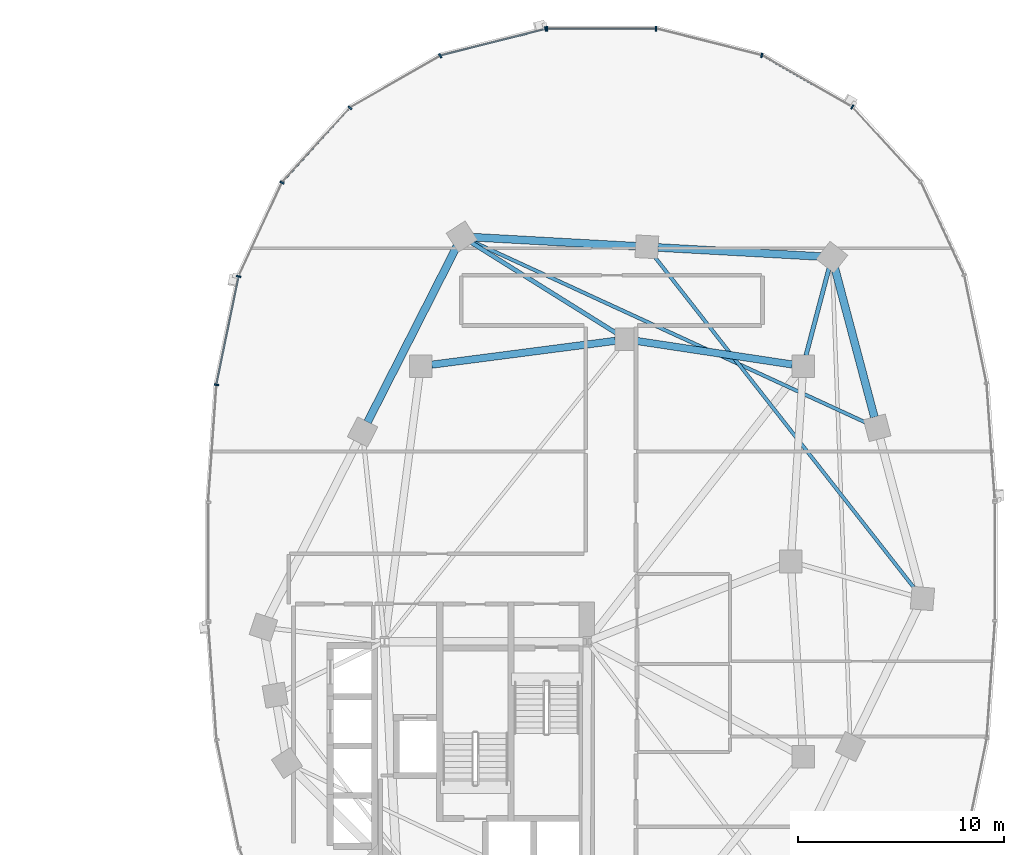
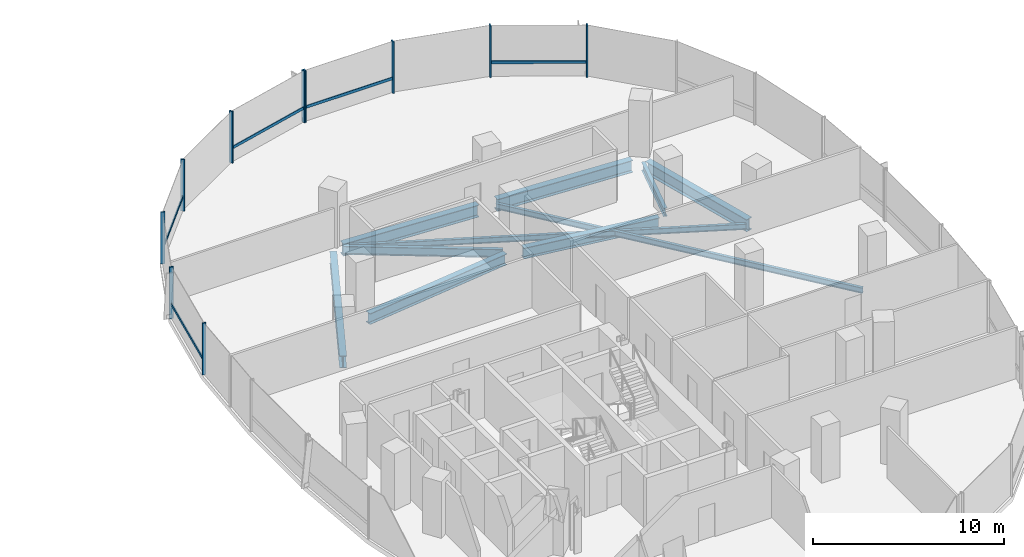
# One storey, part 7 of 21: 15 members, 10 beams, 2 elements without a shape of their own.
"""IFC4 building model written with IfcOpenShell, lengths in metres."""

import ifcopenshell
import ifcopenshell.guid

model = None  # the IFC model being written
_history = None  # IfcOwnerHistory: only IFC2X3 demands one
_inside = {}  # id of a spatial element -> (the spatial element, [elements in it])
_under = {}  # id of a project, library or spatial element -> (it, [spatial elements below it])
_declared = {}  # id of a project -> (the project, [libraries it declares])
_typed = {}  # id of a type object -> (the type object, [elements of that type])
_made_of = {}  # id of a material, layer set ... -> (it, [elements and type objects made of it])


def new_model(schema):
    """Start an empty IFC model of exactly this schema.

    Asked for "IFC4X3", IfcOpenShell would pick the latest addendum, in which some entities
    have other attributes; the version numbers below select the first issue.
    IFC2X3 requires an IfcOwnerHistory on every rooted entity: one is made here for all.
    """
    global model, _history
    if schema == "IFC4X3":
        model = ifcopenshell.file(schema_version=(4, 3, 0, 0))
    else:
        model = ifcopenshell.file(schema=schema)
    _inside.clear()
    _under.clear()
    _declared.clear()
    _typed.clear()
    _made_of.clear()
    _history = None
    if model.schema == "IFC2X3":
        org = make("IfcOrganization", Name="unknown")
        user = make(
            "IfcPersonAndOrganization",
            ThePerson=make("IfcPerson", FamilyName="unknown"),
            TheOrganization=org,
        )
        app = make(
            "IfcApplication",
            ApplicationDeveloper=org,
            Version="unknown",
            ApplicationFullName="unknown",
            ApplicationIdentifier="unknown",
        )
        _history = make(
            "IfcOwnerHistory",
            OwningUser=user,
            OwningApplication=app,
            ChangeAction="ADDED",
            CreationDate=0,
        )
    return model


def make(cls, **values):
    """One entity of the class cls with the attributes given. An attribute that is None is left unset."""
    return model.create_entity(
        cls, **{name: value for name, value in values.items() if value is not None}
    )


def rooted(cls, **values):
    """An entity with a GlobalId (a new one), such as an element, a storey or a relation."""
    return make(cls, GlobalId=ifcopenshell.guid.new(), OwnerHistory=_history, **values)


def si_unit(unit_type, name, prefix=None):
    """IfcSIUnit, for example si_unit("LENGTHUNIT", "METRE", prefix="MILLI")."""
    return make("IfcSIUnit", UnitType=unit_type, Prefix=prefix, Name=name)


def assignment(units):
    """IfcUnitAssignment: the units of a project."""
    return None if units is None else make("IfcUnitAssignment", Units=units)


def point(xyz):
    """IfcCartesianPoint."""
    return None if xyz is None else make("IfcCartesianPoint", Coordinates=xyz)


def direction(xyz):
    """IfcDirection."""
    return None if xyz is None else make("IfcDirection", DirectionRatios=xyz)


def frame(location, z_axis=None, x_axis=None):
    """IfcAxis2Placement3D, a coordinate frame: its origin and axes. An axis left out is left unset."""
    return make(
        "IfcAxis2Placement3D",
        Location=point(location),
        Axis=direction(z_axis),
        RefDirection=direction(x_axis),
    )


def frame_2d(location, x_axis=None):
    """IfcAxis2Placement2D, a coordinate frame in the plane: its origin and x axis."""
    return make(
        "IfcAxis2Placement2D", Location=point(location), RefDirection=direction(x_axis)
    )


def origin():
    """The frame at (0, 0, 0) with its axes left unset."""
    return frame((0.0, 0.0, 0.0))


def origin_2d():
    """The frame at (0, 0) in the plane with its x axis left unset."""
    return frame_2d((0.0, 0.0))


def place(relative_to, where):
    """IfcLocalPlacement: puts the frame where relative to a parent placement (None: the world)."""
    return make(
        "IfcLocalPlacement", PlacementRelTo=relative_to, RelativePlacement=where
    )


def context(
    kind, dimensions, precision=None, world=None, true_north=None, identifier=None
):
    """IfcGeometricRepresentationContext, for example the 3D "Model" context."""
    return make(
        "IfcGeometricRepresentationContext",
        ContextIdentifier=identifier,
        ContextType=kind,
        CoordinateSpaceDimension=dimensions,
        Precision=precision,
        WorldCoordinateSystem=world,
        TrueNorth=true_north,
    )


def subcontext(parent, identifier, kind, view, scale=None):
    """IfcGeometricRepresentationSubContext, for example "Body" below "Model"."""
    return make(
        "IfcGeometricRepresentationSubContext",
        ContextIdentifier=identifier,
        ContextType=kind,
        ParentContext=parent,
        TargetScale=scale,
        TargetView=view,
    )


def project(units=None, contexts=None):
    """IfcProject with its units and contexts."""
    return rooted(
        "IfcProject",
        Name="project",
        RepresentationContexts=contexts,
        UnitsInContext=assignment(units),
    )


def spatial(cls, under=None, at=None, **own):
    """A site, building, storey or space (cls), placed at a placement, below another one or the project."""
    s = rooted(cls, ObjectPlacement=at, **own)
    if under is not None:
        _under.setdefault(under.id(), (under, []))[1].append(s)
    return s


def profile(cls, at=None, kind="AREA", **sizes):
    """A parametric profile (cls). Its sizes go by their IFC names, for example OverallWidth=200.0."""
    return make(cls, ProfileType=kind, Position=at, **sizes)


def rectangle(**sizes):
    """IfcRectangleProfileDef."""
    return profile("IfcRectangleProfileDef", **sizes)


def i_section(**sizes):
    """IfcIShapeProfileDef."""
    return profile("IfcIShapeProfileDef", **sizes)


def extrude(swept, where, along, depth):
    """IfcExtrudedAreaSolid: the profile swept, set in the frame where, extruded along a direction by depth."""
    return make(
        "IfcExtrudedAreaSolid",
        SweptArea=swept,
        Position=where,
        ExtrudedDirection=direction(along),
        Depth=depth,
    )


def shape(context_of_items, identifier, shape_type, items):
    """IfcShapeRepresentation: the items that make up one representation, for example the "Body"."""
    return make(
        "IfcShapeRepresentation",
        ContextOfItems=context_of_items,
        RepresentationIdentifier=identifier,
        RepresentationType=shape_type,
        Items=items,
    )


def material(Name=None, Category=None):
    """IfcMaterial."""
    return make("IfcMaterial", Name=Name, Category=Category)


def material_profile(
    of_material, cross_section, Name=None, Category=None, Priority=None
):
    """IfcMaterialProfile: a cross section and its material."""
    return make(
        "IfcMaterialProfile",
        Name=Name,
        Material=of_material,
        Profile=cross_section,
        Priority=Priority,
        Category=Category,
    )


def profile_set(profiles, Name=None, composite=None):
    """IfcMaterialProfileSet."""
    return make(
        "IfcMaterialProfileSet",
        Name=Name,
        MaterialProfiles=profiles,
        CompositeProfile=composite,
    )


def made_of(thing, what):
    """Note that an element or type object is made of a material, layer set ...; save() writes the relation."""
    if what is not None:
        _made_of.setdefault(what.id(), (what, []))[1].append(thing)
    return thing


def type_object(cls, material=None, **own):
    """A type object (cls), such as IfcWallType, which elements share."""
    return made_of(rooted(cls, **own), material)


def element(
    cls,
    number,
    at=None,
    inside=None,
    cuts=None,
    type_object=None,
    material=None,
    context=None,
    identifier="Body",
    shape_type=None,
    held_by="IfcProductDefinitionShape",
    body=None,
    shapes=None,
    **own,
):
    """One element of the class cls, such as IfcWall. Its Tag is "e" and its number.

    at: its placement. inside: the storey or other place that contains it. cuts: it is an
    opening in that element (IfcRelVoidsElement). A single representation is given by context,
    identifier, shape_type and body (its items); several are given by shapes. held_by: the class
    of the entity that holds the representations. save() writes the other relations.
    """
    e = rooted(cls, Tag="e%d" % number, ObjectPlacement=at, **own)
    if body is not None:
        shapes = [shape(context, identifier, shape_type, body)]
    if shapes is not None:
        e.Representation = make(held_by, Representations=shapes)
    if inside is not None:
        _inside.setdefault(inside.id(), (inside, []))[1].append(e)
    if cuts is not None:
        rooted(
            "IfcRelVoidsElement", RelatingBuildingElement=cuts, RelatedOpeningElement=e
        )
    if type_object is not None:
        _typed.setdefault(type_object.id(), (type_object, []))[1].append(e)
    return made_of(e, material)


def aggregate(whole, parts):
    """IfcRelAggregates: a whole, such as a stair, and the parts it consists of."""
    return rooted("IfcRelAggregates", RelatingObject=whole, RelatedObjects=parts)


def save(model, path):
    """Write the relations noted so far, then the file.

    IfcRelAggregates (storeys below a building ...), IfcRelContainedInSpatialStructure (elements
    in a storey), IfcRelDefinesByType, IfcRelAssociatesMaterial and IfcRelDeclares: one each for
    every whole, place, type object, material and project.
    """
    for whole, parts in _under.values():
        aggregate(whole, parts)
    for where, things in _inside.values():
        rooted(
            "IfcRelContainedInSpatialStructure",
            RelatedElements=things,
            RelatingStructure=where,
        )
    for kind, things in _typed.values():
        rooted("IfcRelDefinesByType", RelatedObjects=things, RelatingType=kind)
    for what, things in _made_of.values():
        rooted("IfcRelAssociatesMaterial", RelatedObjects=things, RelatingMaterial=what)
    for by, libraries in _declared.values():
        rooted("IfcRelDeclares", RelatingContext=by, RelatedDefinitions=libraries)
    model.write(path)


model = new_model("IFC4")

# Units and contexts
model_context = context("Model", 3, precision=1e-05, world=origin(), true_north=direction((0.0, 1.0)))
body_context = subcontext(model_context, "Body", "Model", "MODEL_VIEW")
ifc_project = project(units=[si_unit("LENGTHUNIT", "METRE"), si_unit("AREAUNIT", "SQUARE_METRE"), si_unit("VOLUMEUNIT", "CUBIC_METRE"), si_unit("PLANEANGLEUNIT", "RADIAN"), si_unit("MASSUNIT", "GRAM", prefix="KILO"), si_unit("THERMODYNAMICTEMPERATUREUNIT", "KELVIN"), si_unit("POWERUNIT", "WATT")], contexts=[model_context])

# Site, building, storey
site_placement = place(None, origin())
site = spatial("IfcSite", under=ifc_project, at=site_placement, CompositionType="ELEMENT")
building_placement = place(site_placement, origin())
building = spatial("IfcBuilding", under=site, at=building_placement, Name="Cundina Bronze Exchange", CompositionType="ELEMENT")
storey_placement = place(building_placement, frame((0.0, 0.0, 121.39990234375)))
storey = spatial("IfcBuildingStorey", under=building, at=storey_placement, Name="L31", CompositionType="ELEMENT", Elevation=121.39990234375)

# Beams
ifc_material_1 = material(Name="Steel ASTM A992 Grade 50", Category="steel")
ifc_material_profile_1 = material_profile(ifc_material_1, i_section(OverallWidth=0.2099609375, OverallDepth=0.532958984375, WebThickness=0.01025390625, FlangeThickness=0.015625, FilletRadius=0.013916015625, at=origin_2d()), Name="W21X62", Category="steel")
ifc_profile_set_1 = profile_set([ifc_material_profile_1], Name="Steel ASTM A992 Grade 50")
beam_type_1 = type_object("IfcBeamType", Name="BM-FLR-W21B", PredefinedType="BEAM", material=ifc_profile_set_1)
beam_1_placement = place(storey_placement, frame((41.9375, 10.020263671875, -0.56640625), z_axis=(0.255357891402, 0.966846599673, 0.0), x_axis=(-0.966846599673, 0.255357891402, 0.0)))
element("IfcBeam", 1, at=beam_1_placement, inside=storey, type_object=beam_type_1, Name="L31 Leg E Chordal Floor Beam 10", PredefinedType="BEAM", context=body_context, shape_type="SweptSolid", body=[
    extrude(i_section(OverallWidth=0.2099609375, OverallDepth=0.532958984375, WebThickness=0.01025390625, FlangeThickness=0.015625, FilletRadius=0.013916015625, at=origin_2d()), origin(), (0.0, 0.0, 1.0), 4.405517578125),
])
beam_2_placement = place(storey_placement, frame((32.743896484375, 11.085205078125, -0.56640625), z_axis=(-0.848003227047, 0.529991063055, 0.0), x_axis=(-0.529991063055, -0.848003227047, 0.0)))
element("IfcBeam", 2, at=beam_2_placement, inside=storey, type_object=beam_type_1, Name="L31 Leg E Chordal Floor Beam 12", PredefinedType="BEAM", context=body_context, shape_type="SweptSolid", body=[
    extrude(i_section(OverallWidth=0.2099609375, OverallDepth=0.532958984375, WebThickness=0.01025390625, FlangeThickness=0.015625, FilletRadius=0.013916015625, at=origin_2d()), origin(), (0.0, 0.0, 1.0), 8.358154296875),
])
ifc_material_profile_2 = material_profile(ifc_material_1, i_section(OverallWidth=0.172119140625, OverallDepth=0.35791015625, WebThickness=0.0078125, FlangeThickness=0.01318359375, FilletRadius=0.010009765625, at=origin_2d()), Name="W14X38", Category="steel")
ifc_profile_set_2 = profile_set([ifc_material_profile_2], Name="Steel ASTM A992 Grade 50")
beam_type_2 = type_object("IfcBeamType", Name="BM-JST-W14", PredefinedType="JOIST", material=ifc_profile_set_2)
beam_3_placement = place(storey_placement, frame((47.268310546875, -1.37646484375, -0.47900390625), z_axis=(-0.616815348306, 0.787107887201, 0.0), x_axis=(-0.787107887201, -0.616815348306, 0.0)))
element("IfcBeam", 3, at=beam_3_placement, inside=storey, type_object=beam_type_2, Name="L31 Leg E Lobe Floor Joist 08-11", PredefinedType="JOIST", context=body_context, shape_type="SweptSolid", body=[
    extrude(i_section(OverallWidth=0.172119140625, OverallDepth=0.35791015625, WebThickness=0.0078125, FlangeThickness=0.01318359375, FilletRadius=0.010009765625, at=origin_2d()), origin(), (0.0, 0.0, 1.0), 20.64892578125),
])
beam_4_placement = place(storey_placement, frame((44.911376953125, 6.72509765625, -0.47900390625), z_axis=(-0.908357076874, 0.41819543385, 0.0), x_axis=(-0.41819543385, -0.908357076874, 0.0)))
element("IfcBeam", 4, at=beam_4_placement, inside=storey, type_object=beam_type_2, Name="L31 Leg E Lobe Floor Joist 09-12", PredefinedType="JOIST", context=body_context, shape_type="SweptSolid", body=[
    extrude(i_section(OverallWidth=0.172119140625, OverallDepth=0.35791015625, WebThickness=0.0078125, FlangeThickness=0.01318359375, FilletRadius=0.010009765625, at=origin_2d()), origin(), (0.0, 0.0, 1.0), 21.162109375),
])
ifc_material_profile_3 = material_profile(ifc_material_1, i_section(OverallWidth=0.35498046875, OverallDepth=0.695068359375, WebThickness=0.015380859375, FlangeThickness=0.02490234375, FilletRadius=0.01806640625, at=origin_2d()), Name="W27X146", Category="steel")
ifc_profile_set_3 = profile_set([ifc_material_profile_3], Name="Steel ASTM A992 Grade 50")
beam_type_3 = type_object("IfcBeamType", Name="BM-RING-W27", PredefinedType="USERDEFINED", material=ifc_profile_set_3)
beam_5_placement = place(storey_placement, frame((41.26806640625, 9.580322265625, -0.6474609375), z_axis=(-0.988767489563, 0.149461873341, 0.0), x_axis=(-0.149461873341, -0.988767489563, 0.0)))
element("IfcBeam", 5, at=beam_5_placement, inside=storey, type_object=beam_type_3, Name="L31 E Inner Structural Ring Girder 05", ObjectType="GIRDER", PredefinedType="USERDEFINED", context=body_context, shape_type="SweptSolid", body=[
    extrude(i_section(OverallWidth=0.35498046875, OverallDepth=0.695068359375, WebThickness=0.015380859375, FlangeThickness=0.02490234375, FilletRadius=0.01806640625, at=origin_2d()), origin(), (0.0, 0.0, 1.0), 7.621826171875),
])
beam_6_placement = place(storey_placement, frame((32.66650390625, 10.730712890625, -0.6474609375), z_axis=(-0.991654577907, -0.128923225666, 0.0), x_axis=(0.128923225666, -0.991654577907, 0.0)))
element("IfcBeam", 6, at=beam_6_placement, inside=storey, type_object=beam_type_3, Name="L31 E Inner Structural Ring Girder 06", ObjectType="GIRDER", PredefinedType="USERDEFINED", context=body_context, shape_type="SweptSolid", body=[
    extrude(i_section(OverallWidth=0.35498046875, OverallDepth=0.695068359375, WebThickness=0.015380859375, FlangeThickness=0.02490234375, FilletRadius=0.01806640625, at=origin_2d()), origin(), (0.0, 0.0, 1.0), 9.00830078125),
])
ifc_material_profile_4 = material_profile(ifc_material_1, i_section(OverallWidth=0.381103515625, OverallDepth=0.77294921875, WebThickness=0.0166015625, FlangeThickness=0.027099609375, FilletRadius=0.01904296875, at=origin_2d()), Name="W30X173", Category="steel")
ifc_profile_set_4 = profile_set([ifc_material_profile_4], Name="Steel ASTM A992 Grade 50")
beam_type_4 = type_object("IfcBeamType", Name="BM-RING-W30", PredefinedType="USERDEFINED", material=ifc_profile_set_4)
beam_7_placement = place(storey_placement, frame((45.26220703125, 7.02001953125, -0.6865234375), z_axis=(-0.256209719931, 0.966621218168, 0.0), x_axis=(-0.966621218168, -0.256209719931, 0.0)))
element("IfcBeam", 7, at=beam_7_placement, inside=storey, type_object=beam_type_4, Name="L31 E Perimeter Ring Girder 09", ObjectType="GIRDER", PredefinedType="USERDEFINED", context=body_context, shape_type="SweptSolid", body=[
    extrude(i_section(OverallWidth=0.381103515625, OverallDepth=0.77294921875, WebThickness=0.0166015625, FlangeThickness=0.027099609375, FilletRadius=0.01904296875, at=origin_2d()), origin(), (0.0, 0.0, 1.0), 7.5107421875),
])
for number, where, z_axis, x_axis, name in (
    (8, (42.662841796875, 14.829833984375, -0.6865234375), (-0.99845950136, 0.055485350721, 0.0), (-0.055485350721, -0.99845950136, 0.0), "L31 E Perimeter Ring Girder 10"),
    (9, (33.662841796875, 15.329833984375, -0.6865234375), (-0.99845950136, 0.055485350721, 0.0), (-0.055485350721, -0.99845950136, 0.0), "L31 E Perimeter Ring Girder 11"),
):
    element("IfcBeam", number, at=place(storey_placement, frame(where, z_axis=z_axis, x_axis=x_axis)), inside=storey, type_object=beam_type_4, Name=name, ObjectType="GIRDER", PredefinedType="USERDEFINED", context=body_context, shape_type="SweptSolid", body=[
        extrude(i_section(OverallWidth=0.381103515625, OverallDepth=0.77294921875, WebThickness=0.0166015625, FlangeThickness=0.027099609375, FilletRadius=0.01904296875, at=origin_2d()), origin(), (0.0, 0.0, 1.0), 7.937744140625),
    ])
beam_8_placement = place(storey_placement, frame((24.956298828125, 15.3203125, -0.6865234375), z_axis=(-0.452832332744, -0.891595692241, 0.0), x_axis=(0.891595692241, -0.452832332744, 0.0)))
element("IfcBeam", 10, at=beam_8_placement, inside=storey, type_object=beam_type_4, Name="L31 E Perimeter Ring Girder 12", ObjectType="GIRDER", PredefinedType="USERDEFINED", context=body_context, shape_type="SweptSolid", body=[
    extrude(i_section(OverallWidth=0.381103515625, OverallDepth=0.77294921875, WebThickness=0.0166015625, FlangeThickness=0.027099609375, FilletRadius=0.01904296875, at=origin_2d()), origin(), (0.0, 0.0, 1.0), 9.578857421875),
])

# Curtain wall, members
ifc_material_2 = material(Name="Anodised Bronze Aluminium 6063-T6", Category="aluminium")
curtain_wall_type = type_object("IfcCurtainWallType", Name="CWS-TRD-MID", PredefinedType="NOTDEFINED", material=ifc_material_2)
curtain_wall_1_placement = place(storey_placement, origin())
curtain_wall_1 = element("IfcCurtainWall", 11, at=curtain_wall_1_placement, inside=storey, type_object=curtain_wall_type, Name="L31 CW-03 Curtain Wall Run CWR-L31-E1", PredefinedType="NOTDEFINED")
ifc_material_profile_5 = material_profile(ifc_material_2, rectangle(XDim=0.074951171875, YDim=0.219970703125, at=origin_2d()), Name="AL75X220", Category="aluminium")
ifc_profile_set_5 = profile_set([ifc_material_profile_5], Name="Anodised Bronze Aluminium 6063-T6")
member_type_1 = type_object("IfcMemberType", Name="CWM-MUL-220", PredefinedType="MULLION", material=ifc_profile_set_5)
member_1_placement = place(storey_placement, frame((44.189697265625, 22.097412109375, 0.0), z_axis=(0.0, 0.0, 1.0), x_axis=(-0.867070701164, 0.498185105339, 0.0)))
member_1 = element("IfcMember", 12, at=member_1_placement, type_object=member_type_1, Name="CW-03 Mullion 5", PredefinedType="MULLION", context=body_context, shape_type="SweptSolid", body=[
    extrude(rectangle(XDim=0.074951171875, YDim=0.219970703125, at=origin_2d()), origin(), (0.0, 0.0, 1.0), 3.300048828125),
])
member_2_placement = place(storey_placement, frame((39.78515625, 24.61669921875, 0.0), z_axis=(0.0, 0.0, 1.0), x_axis=(-0.969488149345, 0.245138182011, 0.0)))
member_2 = element("IfcMember", 13, at=member_2_placement, type_object=member_type_1, Name="CW-03 Mullion 6", PredefinedType="MULLION", context=body_context, shape_type="SweptSolid", body=[
    extrude(rectangle(XDim=0.074951171875, YDim=0.219970703125, at=origin_2d()), origin(), (0.0, 0.0, 1.0), 3.300048828125),
])
member_3_placement = place(storey_placement, frame((34.654541015625, 25.905029296875, 0.0), z_axis=(0.0, 0.0, 1.0), x_axis=(-1.0, 0.0, 0.0)))
member_3 = element("IfcMember", 14, at=member_3_placement, type_object=member_type_1, Name="CW-03 Mullion 7", PredefinedType="MULLION", context=body_context, shape_type="SweptSolid", body=[
    extrude(rectangle(XDim=0.074951171875, YDim=0.219970703125, at=origin_2d()), origin(), (0.0, 0.0, 1.0), 3.300048828125),
])
member_4_placement = place(storey_placement, frame((29.345458984375, 25.905029296875, 0.0), z_axis=(0.0, 0.0, 1.0), x_axis=(-1.0, 0.0, 0.0)))
member_4 = element("IfcMember", 15, at=member_4_placement, type_object=member_type_1, Name="CW-03 End Mullion", PredefinedType="MULLION", context=body_context, shape_type="SweptSolid", body=[
    extrude(rectangle(XDim=0.074951171875, YDim=0.219970703125, at=origin_2d()), origin(), (0.0, 0.0, 1.0), 3.300048828125),
])

curtain_wall_2_placement = place(storey_placement, origin())
curtain_wall_2 = element("IfcCurtainWall", 16, at=curtain_wall_2_placement, inside=storey, type_object=curtain_wall_type, Name="L31 CW-03 Curtain Wall Run CWR-L31-E2", PredefinedType="NOTDEFINED")
member_5_placement = place(storey_placement, frame((29.27392578125, 25.89599609375, 0.0), z_axis=(0.0, 0.0, 1.0), x_axis=(-0.969488149345, -0.245138182011, 0.0)))
member_5 = element("IfcMember", 17, at=member_5_placement, type_object=member_type_1, Name="CW-03 Mullion 1", PredefinedType="MULLION", context=body_context, shape_type="SweptSolid", body=[
    extrude(rectangle(XDim=0.074951171875, YDim=0.219970703125, at=origin_2d()), origin(), (0.0, 0.0, 1.0), 3.300048828125),
])
member_6_placement = place(storey_placement, frame((24.151123046875, 24.591064453125, 0.0), z_axis=(0.0, 0.0, 1.0), x_axis=(-0.867070701164, -0.498185105339, 0.0)))
member_6 = element("IfcMember", 18, at=member_6_placement, type_object=member_type_1, Name="CW-03 Mullion 2", PredefinedType="MULLION", context=body_context, shape_type="SweptSolid", body=[
    extrude(rectangle(XDim=0.074951171875, YDim=0.219970703125, at=origin_2d()), origin(), (0.0, 0.0, 1.0), 3.300048828125),
])
member_7_placement = place(storey_placement, frame((19.760498046875, 22.0576171875, 0.0), z_axis=(0.0, 0.0, 1.0), x_axis=(-0.674302387584, -0.738455340626, 0.0)))
member_7 = element("IfcMember", 19, at=member_7_placement, type_object=member_type_1, Name="CW-03 Mullion 3", PredefinedType="MULLION", context=body_context, shape_type="SweptSolid", body=[
    extrude(rectangle(XDim=0.074951171875, YDim=0.219970703125, at=origin_2d()), origin(), (0.0, 0.0, 1.0), 3.300048828125),
])
member_8_placement = place(storey_placement, frame((16.455810546875, 18.423583984375, 0.0), z_axis=(0.0, 0.0, 1.0), x_axis=(-0.42087749791, -0.907117485088, 0.0)))
member_8 = element("IfcMember", 20, at=member_8_placement, type_object=member_type_1, Name="CW-03 Mullion 4", PredefinedType="MULLION", context=body_context, shape_type="SweptSolid", body=[
    extrude(rectangle(XDim=0.074951171875, YDim=0.219970703125, at=origin_2d()), origin(), (0.0, 0.0, 1.0), 3.300048828125),
])
member_9_placement = place(storey_placement, frame((14.348876953125, 13.861328125, 0.0), z_axis=(0.0, 0.0, 1.0), x_axis=(-0.201419845156, -0.979505000486, 0.0)))
member_9 = element("IfcMember", 21, at=member_9_placement, type_object=member_type_1, Name="CW-03 Mullion 5", PredefinedType="MULLION", context=body_context, shape_type="SweptSolid", body=[
    extrude(rectangle(XDim=0.074951171875, YDim=0.219970703125, at=origin_2d()), origin(), (0.0, 0.0, 1.0), 3.300048828125),
])
member_10_placement = place(storey_placement, frame((13.27099609375, 8.591552734375, 0.0), z_axis=(0.0, 0.0, 1.0), x_axis=(-0.070278787473, -0.997527389113, 0.0)))
member_10 = element("IfcMember", 22, at=member_10_placement, type_object=member_type_1, Name="CW-03 Mullion 6", PredefinedType="MULLION", context=body_context, shape_type="SweptSolid", body=[
    extrude(rectangle(XDim=0.074951171875, YDim=0.219970703125, at=origin_2d()), origin(), (0.0, 0.0, 1.0), 3.300048828125),
])

# Member
ifc_material_profile_6 = material_profile(ifc_material_2, rectangle(XDim=0.070068359375, YDim=0.179931640625, at=origin_2d()), Name="AL70X180", Category="aluminium")
ifc_profile_set_6 = profile_set([ifc_material_profile_6], Name="Anodised Bronze Aluminium 6063-T6")
member_type_2 = type_object("IfcMemberType", Name="CWM-TRN-180", PredefinedType="USERDEFINED", material=ifc_profile_set_6)
member_11_placement = place(storey_placement, frame((44.154052734375, 22.117919921875, 0.920166015625), z_axis=(-0.867097475651, 0.498138502546, 0.0), x_axis=(-0.498138502546, -0.867097475651, 0.0)))
member_11 = element("IfcMember", 23, at=member_11_placement, type_object=member_type_2, Name="CW-03 Spandrel Transom 5", ObjectType="TRANSOM", PredefinedType="USERDEFINED", context=body_context, shape_type="SweptSolid", body=[
    extrude(rectangle(XDim=0.070068359375, YDim=0.179931640625, at=origin_2d()), origin(), (0.0, 0.0, 1.0), 5.00634765625),
])

member_12_placement = place(storey_placement, frame((34.61328125, 25.905029296875, 0.920166015625), z_axis=(-1.0, 0.0, 0.0), x_axis=(0.0, -1.0, 0.0)))
member_12 = element("IfcMember", 24, at=member_12_placement, type_object=member_type_2, Name="CW-03 Spandrel Transom 7", ObjectType="TRANSOM", PredefinedType="USERDEFINED", context=body_context, shape_type="SweptSolid", body=[
    extrude(rectangle(XDim=0.070068359375, YDim=0.179931640625, at=origin_2d()), origin(), (0.0, 0.0, 1.0), 5.2265625),
])

aggregate(curtain_wall_1, [member_1, member_11, member_2, member_3, member_4, member_12])

member_13_placement = place(storey_placement, frame((29.23388671875, 25.885986328125, 0.920166015625), z_axis=(-0.969483968866, -0.245154714644, 0.0), x_axis=(0.245154714644, -0.969483968866, 0.0)))
member_13 = element("IfcMember", 25, at=member_13_placement, type_object=member_type_2, Name="CW-03 Spandrel Transom 1", ObjectType="TRANSOM", PredefinedType="USERDEFINED", context=body_context, shape_type="SweptSolid", body=[
    extrude(rectangle(XDim=0.070068359375, YDim=0.179931640625, at=origin_2d()), origin(), (0.0, 0.0, 1.0), 5.21826171875),
])

member_14_placement = place(storey_placement, frame((19.73291015625, 22.027099609375, 0.920166015625), z_axis=(-0.674302794847, -0.738454968743, 0.0), x_axis=(0.738454968743, -0.674302794847, 0.0)))
member_14 = element("IfcMember", 26, at=member_14_placement, type_object=member_type_2, Name="CW-03 Spandrel Transom 3", ObjectType="TRANSOM", PredefinedType="USERDEFINED", context=body_context, shape_type="SweptSolid", body=[
    extrude(rectangle(XDim=0.070068359375, YDim=0.179931640625, at=origin_2d()), origin(), (0.0, 0.0, 1.0), 4.848388671875),
])

member_15_placement = place(storey_placement, frame((14.340576171875, 13.821044921875, 0.920166015625), z_axis=(-0.201427712708, -0.979503382615, 0.0), x_axis=(0.979503382615, -0.201427712708, 0.0)))
member_15 = element("IfcMember", 27, at=member_15_placement, type_object=member_type_2, Name="CW-03 Spandrel Transom 5", ObjectType="TRANSOM", PredefinedType="USERDEFINED", context=body_context, shape_type="SweptSolid", body=[
    extrude(rectangle(XDim=0.070068359375, YDim=0.179931640625, at=origin_2d()), origin(), (0.0, 0.0, 1.0), 5.291748046875),
])

aggregate(curtain_wall_2, [member_5, member_13, member_6, member_7, member_14, member_8, member_9, member_15, member_10])

save(model, "model.ifc")
